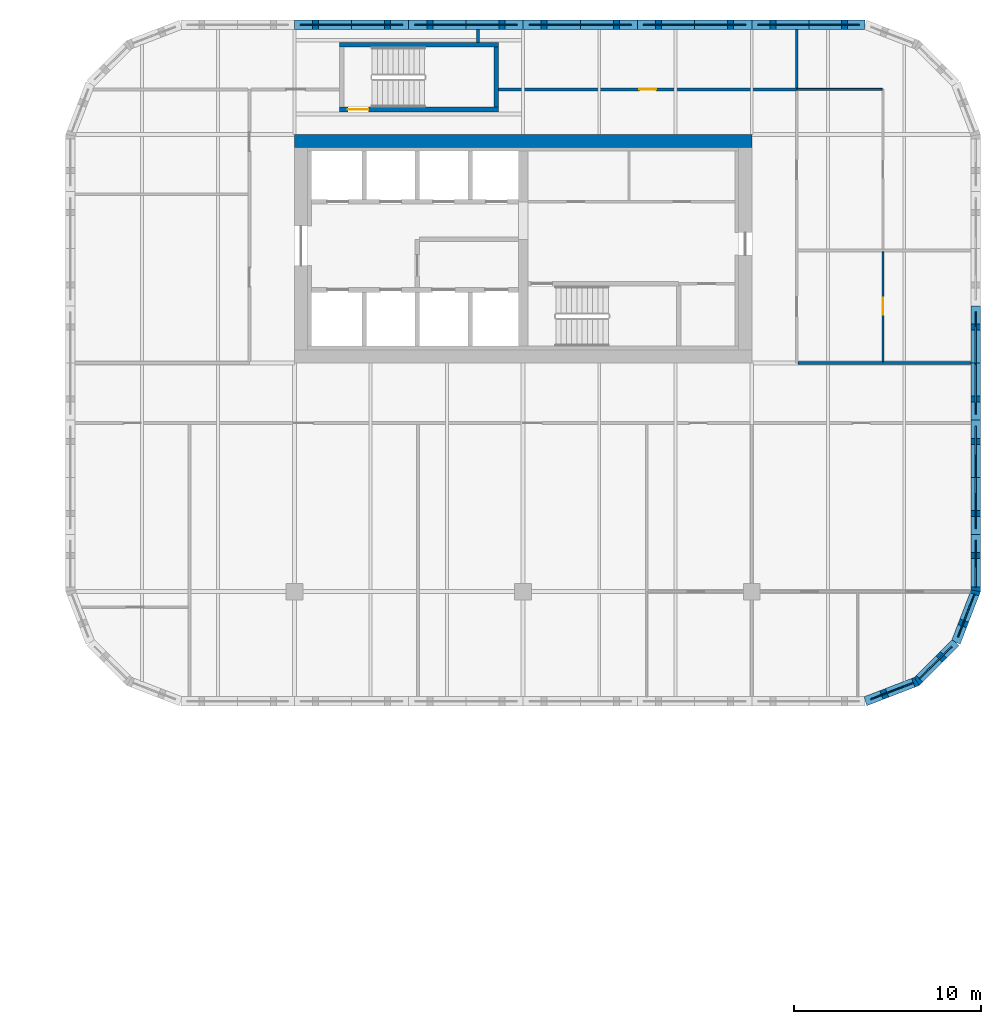
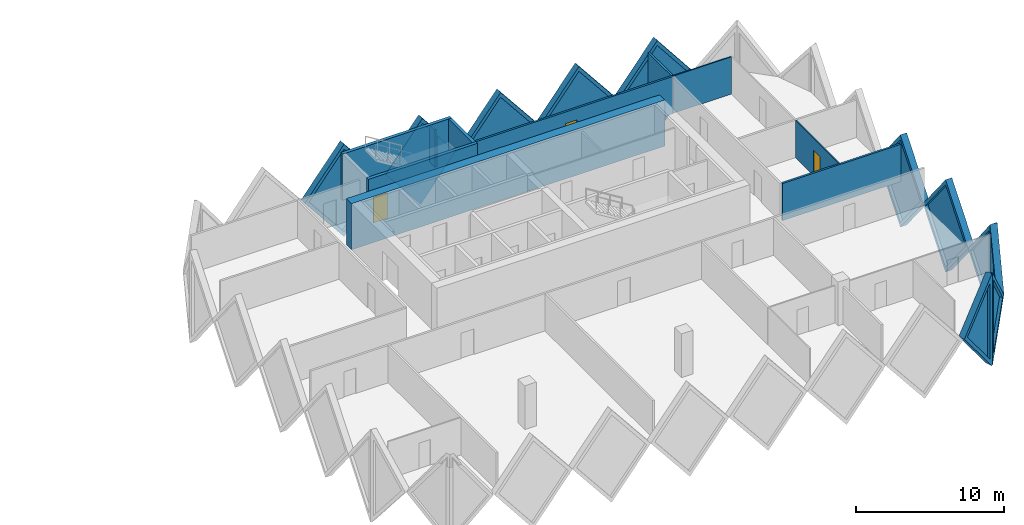
# One storey, part 14 of 18: 21 walls, 11 plates, 3 doors, 14 openings.
"""IFC4 building model written with IfcOpenShell, lengths in metres."""

from ifc_helpers import new_model, si_unit, direction, frame, frame_2d, origin, place, context, subcontext, project, spatial, polyline, rectangle, outline, extrude, faceted_brep, source, transform, mapped, material, layer, layer_set, type_object, element, fill, save


model = new_model("IFC4")

# Units and contexts
model_context = context("Model", 3, precision=1e-05, world=origin(), true_north=direction((0.0, 1.0)))
body_context = subcontext(model_context, "Body", "Model", "MODEL_VIEW")
ifc_project = project(units=[si_unit("LENGTHUNIT", "METRE"), si_unit("AREAUNIT", "SQUARE_METRE"), si_unit("VOLUMEUNIT", "CUBIC_METRE"), si_unit("PLANEANGLEUNIT", "RADIAN"), si_unit("MASSUNIT", "GRAM", prefix="KILO")], contexts=[model_context])

# Site, building, storey
site_placement = place(None, origin())
site = spatial("IfcSite", under=ifc_project, at=site_placement, CompositionType="ELEMENT")
building_placement = place(site_placement, origin())
building = spatial("IfcBuilding", under=site, at=building_placement, Name="Tessera Gate Towers", CompositionType="ELEMENT")
storey_placement = place(building_placement, frame((0.0, 0.0, 44.800048828125)))
storey = spatial("IfcBuildingStorey", under=building, at=storey_placement, Name="L10", CompositionType="ELEMENT", Elevation=44.800048828125)

# Wall, opening, door
ifc_material_1 = material(Name="Concrete C40/50", Category="concrete")
ifc_layer_1 = layer(ifc_material_1, 0.25)
ifc_layer_set_1 = layer_set([ifc_layer_1], Name="CORE ENCLOSURE WALL 250")
wall_type_1 = type_object("IfcWallType", Name="CORE ENCLOSURE WALL 250", PredefinedType="SOLIDWALL", material=ifc_layer_set_1)
wall_1_placement = place(storey_placement, frame((108.5, 50.125, 0.0), z_axis=(0.0, 0.0, 1.0), x_axis=(-1.0, 0.0, 0.0)))
wall_1 = element("IfcWall", 1, at=wall_1_placement, inside=storey, type_object=wall_type_1, Name="L10 ST7 enclosure wall", PredefinedType="SOLIDWALL", context=body_context, shape_type="SweptSolid", body=[
    extrude(rectangle(XDim=8.5, YDim=0.25, at=frame_2d((4.25, 0.0))), origin(), (0.0, 0.0, 1.0), 3.800048828125),
])
shared_shape_1 = source(origin(), body_context, "Body", "SweptSolid", [
    extrude(rectangle(XDim=1.10009765625, YDim=2.10009765625, at=frame_2d((0.550048828125, 1.050048828125))), frame((0.0, 0.135009765625, 0.0), z_axis=(0.0, -1.0, 0.0), x_axis=(1.0, 0.0, 0.0)), (0.0, 0.0, 1.0), 0.27001953125),
])
opening_1_placement = place(wall_1_placement, frame((6.949951171875, 0.0, 0.0)))
opening_1 = element("IfcOpeningElement", 2, at=opening_1_placement, cuts=wall_1, Name="Opening SD-ST7-1", PredefinedType="OPENING", context=body_context, shape_type="MappedRepresentation", body=[
    mapped(shared_shape_1, transform((0.0, 0.0, 0.0), scale=1.0)),
])
ifc_material_2 = material(Name="Hollow steel fire door", Category="steel")
door_type_1 = type_object("IfcDoorType", Name="CORE DOOR SD1100 1100x2100", OperationType="NOTDEFINED", PredefinedType="DOOR", material=ifc_material_2)
shared_shape_2 = source(origin(), body_context, "Body", "SweptSolid", [
    extrude(rectangle(XDim=1.10009765625, YDim=2.10009765625, at=frame_2d((0.550048828125, 1.050048828125))), frame((0.0, 0.02490234375, 0.0), z_axis=(0.0, -1.0, 0.0), x_axis=(1.0, 0.0, 0.0)), (0.0, 0.0, 1.0), 0.050048828125),
])
door_1_placement = place(opening_1_placement, origin())
door_1 = element("IfcDoor", 3, at=door_1_placement, inside=storey, type_object=door_type_1, Name="Stair door", OperationType="SINGLE_SWING_RIGHT", OverallHeight=2.10009765625, OverallWidth=1.10009765625, PredefinedType="DOOR", context=body_context, shape_type="MappedRepresentation", body=[
    mapped(shared_shape_2, transform((0.0, 0.0, 0.0), scale=1.0)),
])
fill(opening_1, door_1)

# Walls
wall_2_placement = place(storey_placement, frame((100.0, 53.574951171875, 0.0), z_axis=(0.0, 0.0, 1.0), x_axis=(1.0, 0.0, 0.0)))
element("IfcWall", 4, at=wall_2_placement, inside=storey, type_object=wall_type_1, Name="L10 ST7 enclosure wall", PredefinedType="SOLIDWALL", context=body_context, shape_type="SweptSolid", body=[
    extrude(rectangle(XDim=8.5, YDim=0.25, at=frame_2d((4.25, 0.0))), origin(), (0.0, 0.0, 1.0), 3.800048828125),
])
wall_3_placement = place(storey_placement, frame((108.375, 53.449951171875, 0.0), z_axis=(0.0, 0.0, 1.0), x_axis=(0.0, -1.0, 0.0)))
element("IfcWall", 5, at=wall_3_placement, inside=storey, type_object=wall_type_1, Name="L10 ST7 enclosure wall", PredefinedType="SOLIDWALL", context=body_context, shape_type="SweptSolid", body=[
    extrude(rectangle(XDim=3.199951171875, YDim=0.25, at=frame_2d((1.60009765625, 0.0))), origin(), (0.0, 0.0, 1.0), 3.800048828125),
])
ifc_material_3 = material(Name="Concrete C60/75", Category="concrete")
ifc_layer_2 = layer(ifc_material_3, 0.699951171875)
ifc_layer_set_2 = layer_set([ifc_layer_2], Name="CORE SHEAR WALL 700 C60/75")
wall_type_2 = type_object("IfcWallType", Name="CORE SHEAR WALL 700 C60/75", PredefinedType="SHEAR", material=ifc_layer_set_2)
wall_4_placement = place(storey_placement, frame((97.60009765625, 48.449951171875, 0.0), z_axis=(0.0, 0.0, 1.0), x_axis=(1.0, 0.0, 0.0)))
element("IfcWall", 6, at=wall_4_placement, inside=storey, type_object=wall_type_2, Name="Core wall N L10", PredefinedType="SHEAR", context=body_context, shape_type="SweptSolid", body=[
    extrude(rectangle(XDim=24.39990234375, YDim=0.699951171875, at=frame_2d((12.199951171875, 0.0))), origin(), (0.0, 0.0, 1.0), 3.800048828125),
])
ifc_material_4 = material(Name="Gypsum board on steel studs, mineral wool", Category="steel")
ifc_layer_3 = layer(ifc_material_4, 0.14990234375)
ifc_layer_set_3 = layer_set([ifc_layer_3], Name="CORRIDOR WALL 150")
wall_type_3 = type_object("IfcWallType", Name="CORRIDOR WALL 150", PredefinedType="PARTITIONING", material=ifc_layer_set_3)
wall_5_placement = place(storey_placement, frame((124.47607421875, 36.60009765625, 0.0), z_axis=(0.0, 0.0, 1.0), x_axis=(1.0, 0.0, 0.0)))
element("IfcWall", 7, at=wall_5_placement, inside=storey, type_object=wall_type_3, Name="T2-L10-PW-014", PredefinedType="PARTITIONING", context=body_context, shape_type="SweptSolid", body=[
    extrude(rectangle(XDim=9.223876953125, YDim=0.14990234375, at=frame_2d((4.61181640625, 0.0))), origin(), (0.0, 0.0, 1.0), 3.06689453125),
])

# Wall, opening, door
wall_6_placement = place(storey_placement, frame((108.5, 51.199951171875, 0.0), z_axis=(0.0, 0.0, 1.0), x_axis=(1.0, 0.0, 0.0)))
wall_6 = element("IfcWall", 8, at=wall_6_placement, inside=storey, type_object=wall_type_3, Name="T2-L10-PW-022", PredefinedType="PARTITIONING", context=body_context, shape_type="SweptSolid", body=[
    extrude(rectangle(XDim=15.89990234375, YDim=0.14990234375, at=frame_2d((7.949951171875, 0.0))), origin(), (0.0, 0.0, 1.0), 3.06689453125),
])
shared_shape_3 = source(origin(), body_context, "Body", "SweptSolid", [
    extrude(rectangle(XDim=0.89990234375, YDim=2.10009765625, at=frame_2d((0.449951171875, 1.050048828125))), frame((0.0, 0.0849609375, 0.0), z_axis=(0.0, -1.0, 0.0), x_axis=(1.0, 0.0, 0.0)), (0.0, 0.0, 1.0), 0.169921875),
])
opening_2_placement = place(wall_6_placement, frame((7.5, 0.0, 0.0)))
opening_2 = element("IfcOpeningElement", 9, at=opening_2_placement, cuts=wall_6, Name="Opening D890FD60-B04-04", PredefinedType="OPENING", context=body_context, shape_type="MappedRepresentation", body=[
    mapped(shared_shape_3, transform((0.0, 0.0, 0.0), scale=1.0)),
])
ifc_material_5 = material(Name="Timber door leaf in steel frame", Category="steel")
door_type_2 = type_object("IfcDoorType", Name="CORRIDOR DOOR 900 FD60", OperationType="NOTDEFINED", PredefinedType="DOOR", material=ifc_material_5)
shared_shape_4 = source(origin(), body_context, "Body", "SweptSolid", [
    extrude(rectangle(XDim=0.89990234375, YDim=2.10009765625, at=frame_2d((0.449951171875, 1.050048828125))), frame((0.0, 0.02490234375, 0.0), z_axis=(0.0, -1.0, 0.0), x_axis=(1.0, 0.0, 0.0)), (0.0, 0.0, 1.0), 0.050048828125),
])
door_2_placement = place(opening_2_placement, origin())
door_2 = element("IfcDoor", 10, at=door_2_placement, inside=storey, type_object=door_type_2, Name="T2-L10-PD-016", OperationType="SINGLE_SWING_LEFT", OverallHeight=2.10009765625, OverallWidth=0.89990234375, PredefinedType="DOOR", context=body_context, shape_type="MappedRepresentation", body=[
    mapped(shared_shape_4, transform((0.0, 0.0, 0.0), scale=1.0)),
])
fill(opening_2, door_2)

ifc_material_6 = material(Name="Glass", Category="glass")
ifc_layer_4 = layer(ifc_material_6, 0.10009765625)
ifc_layer_set_4 = layer_set([ifc_layer_4], Name="GLAZED PARTITION 100")
wall_type_4 = type_object("IfcWallType", Name="GLAZED PARTITION 100", PredefinedType="PARTITIONING", material=ifc_layer_set_4)
wall_7_placement = place(storey_placement, frame((129.0, 42.52392578125, 0.0), z_axis=(0.0, 0.0, 1.0), x_axis=(0.0, -1.0, 0.0)))
wall_7 = element("IfcWall", 11, at=wall_7_placement, inside=storey, type_object=wall_type_4, Name="T2-L10-PW-016", PredefinedType="PARTITIONING", context=body_context, shape_type="SweptSolid", body=[
    extrude(rectangle(XDim=5.847900390625, YDim=0.10009765625, at=frame_2d((2.923828125, 0.0))), origin(), (0.0, 0.0, 1.0), 3.06689453125),
])
shared_shape_5 = source(origin(), body_context, "Body", "SweptSolid", [
    extrude(rectangle(XDim=0.89990234375, YDim=2.10009765625, at=frame_2d((0.449951171875, 1.050048828125))), frame((0.0, 0.06005859375, 0.0), z_axis=(0.0, -1.0, 0.0), x_axis=(1.0, 0.0, 0.0)), (0.0, 0.0, 1.0), 0.1201171875),
])
opening_3_placement = place(wall_7_placement, frame((2.447998046875, 0.0, 0.0)))
opening_3 = element("IfcOpeningElement", 12, at=opening_3_placement, cuts=wall_7, Name="Opening D690-B04-02", PredefinedType="OPENING", context=body_context, shape_type="MappedRepresentation", body=[
    mapped(shared_shape_5, transform((0.0, 0.0, 0.0), scale=1.0)),
])
ifc_material_7 = material(Name="Glass in aluminium frame", Category="aluminium")
door_type_3 = type_object("IfcDoorType", Name="GLAZED DOOR 900 NOT RATED", OperationType="NOTDEFINED", PredefinedType="DOOR", material=ifc_material_7)
door_3_placement = place(opening_3_placement, origin())
door_3 = element("IfcDoor", 13, at=door_3_placement, inside=storey, type_object=door_type_3, Name="T2-L10-PD-007", OperationType="SINGLE_SWING_RIGHT", OverallHeight=2.10009765625, OverallWidth=0.89990234375, PredefinedType="DOOR", context=body_context, shape_type="MappedRepresentation", body=[
    mapped(shared_shape_4, transform((0.0, 0.0, 0.0), scale=1.0)),
])
fill(opening_3, door_3)

# Walls
wall_8_placement = place(storey_placement, frame((124.40087890625, 51.199951171875, 0.0), z_axis=(0.0, 0.0, 1.0), x_axis=(1.0, 0.0, 0.0)))
element("IfcWall", 14, at=wall_8_placement, inside=storey, type_object=wall_type_4, Name="T2-L10-PW-023", PredefinedType="PARTITIONING", context=body_context, shape_type="SweptSolid", body=[
    extrude(rectangle(XDim=4.548095703125, YDim=0.10009765625, at=frame_2d((2.27392578125, 0.0))), origin(), (0.0, 0.0, 1.0), 3.06689453125),
])
ifc_material_8 = material(Name="Gypsum board on steel studs, mineral wool", Category="steel")
ifc_layer_5 = layer(ifc_material_8, 0.14990234375)
ifc_layer_set_5 = layer_set([ifc_layer_5], Name="TENANCY WALL 150")
wall_type_5 = type_object("IfcWallType", Name="TENANCY WALL 150", PredefinedType="PARTITIONING", material=ifc_layer_set_5)
wall_9_placement = place(storey_placement, frame((124.39990234375, 51.27587890625, 0.0), z_axis=(0.0, 0.0, 1.0), x_axis=(0.0, 1.0, 0.0)))
element("IfcWall", 15, at=wall_9_placement, inside=storey, type_object=wall_type_5, Name="T2-L10-PW-024", PredefinedType="PARTITIONING", context=body_context, shape_type="SweptSolid", body=[
    extrude(rectangle(XDim=3.1240234375, YDim=0.14990234375, at=frame_2d((1.56201171875, 0.0))), origin(), (0.0, 0.0, 1.0), 3.06689453125),
])
wall_10_placement = place(storey_placement, frame((107.39990234375, 53.699951171875, 0.0), z_axis=(0.0, 0.0, 1.0), x_axis=(0.0, 1.0, 0.0)))
element("IfcWall", 16, at=wall_10_placement, inside=storey, type_object=wall_type_5, Name="T2-L10-PW-025", PredefinedType="PARTITIONING", context=body_context, shape_type="SweptSolid", body=[
    extrude(rectangle(XDim=0.699951171875, YDim=0.14990234375, at=frame_2d((0.35009765625, 0.0))), origin(), (0.0, 0.0, 1.0), 3.06689453125),
])

# Wall, opening, plate
ifc_material_9 = material(Name="Precast concrete C60/75 white", Category="concrete")
ifc_layer_6 = layer(ifc_material_9, 0.5)
ifc_layer_set_6 = layer_set([ifc_layer_6], Name="TS1 tessera")
wall_type_6 = type_object("IfcWallType", Name="TS1 tessera", PredefinedType="SOLIDWALL", material=ifc_layer_set_6)
shared_shape_6 = source(origin(), body_context, "Body", "Brep", [
    faceted_brep([(3.00341796875, -0.25, 0.0), (6.053466796875, -0.25, 3.800048828125), (3.00341796875, -0.25, 7.60009765625), (0.0, -0.25, 3.800048828125), (0.046630859375, 0.25, 3.85888671875), (3.00341796875, 0.25, 7.60009765625), (6.053466796875, 0.25, 3.800048828125), (3.00341796875, 0.25, 0.0), (0.046630859375, 0.25, 3.7412109375), (0.0, 0.0, 3.800048828125)], [[[0, 1, 2, 3]], [[4, 5, 6, 7, 8]], [[7, 6, 1, 0]], [[6, 5, 2, 1]], [[5, 4, 9, 3, 2]], [[8, 7, 0, 3, 9]], [[8, 9, 4]]]),
])
wall_11_placement = place(storey_placement, frame((128.053466796875, 54.64990234375, -3.800048828125), z_axis=(0.0, 0.0, 1.0), x_axis=(-1.0, 0.0, 0.0)))
wall_11 = element("IfcWall", 17, at=wall_11_placement, inside=storey, type_object=wall_type_6, Name="Precast tessera T2 TS1-0099", PredefinedType="SOLIDWALL", context=body_context, shape_type="MappedRepresentation", body=[
    mapped(shared_shape_6, transform((0.0, 0.0, 0.0), scale=1.0)),
])
shared_shape_7 = source(origin(), body_context, "Body", "SweptSolid", [
    extrude(outline(polyline([(3.0048828125, 0.4013671875), (5.73291015625, 3.800048828125), (3.0048828125, 7.19873046875), (0.318603515625, 3.800048828125), (3.0048828125, 0.4013671875)])), frame((0.0, 0.260009765625, 0.0), z_axis=(0.0, -1.0, 0.0), x_axis=(1.0, 0.0, 0.0)), (0.0, 0.0, 1.0), 0.52001953125),
])
opening_4_placement = place(wall_11_placement, origin())
opening_4 = element("IfcOpeningElement", 18, at=opening_4_placement, cuts=wall_11, Name="Opening T2-PL2-0187", PredefinedType="OPENING", context=body_context, shape_type="MappedRepresentation", body=[
    mapped(shared_shape_7, transform((0.0, 0.0, 0.0), scale=1.0)),
])
ifc_material_10 = material(Name="Low-e laminated glass", Category="glass")
ifc_layer_7 = layer(ifc_material_10, 0.06005859375)
ifc_layer_set_7 = layer_set([ifc_layer_7], Name="PL2 rhombic pane")
plate_type = type_object("IfcPlateType", Name="PL2 rhombic pane", PredefinedType="SHEET", material=ifc_layer_set_7)
shared_shape_8 = source(origin(), body_context, "Body", "SweptSolid", [
    extrude(outline(polyline([(3.0048828125, 0.4013671875), (5.73291015625, 3.800048828125), (3.0048828125, 7.19873046875), (0.318603515625, 3.800048828125), (3.0048828125, 0.4013671875)])), frame((0.0, 0.030029296875, 0.0), z_axis=(0.0, -1.0, 0.0), x_axis=(1.0, 0.0, 0.0)), (0.0, 0.0, 1.0), 0.06005859375),
])
plate_1_placement = place(opening_4_placement, origin())
plate_1 = element("IfcPlate", 19, at=plate_1_placement, inside=storey, type_object=plate_type, Name="Glass pane T2 PL2-0187", PredefinedType="SHEET", context=body_context, shape_type="MappedRepresentation", body=[
    mapped(shared_shape_8, transform((0.0, 0.0, 0.0), scale=1.0)),
])
fill(opening_4, plate_1)

shared_shape_9 = source(origin(), body_context, "Body", "Brep", [
    faceted_brep([(3.050048828125, -0.25, 0.0), (6.099853515625, -0.25, 3.7998046875), (6.099853515625, -0.25, 3.80029296875), (3.050048828125, -0.25, 7.60009765625), (0.0, -0.25, 3.800048828125), (0.0, 0.25, 3.800048828125), (3.050048828125, 0.25, 7.60009765625), (6.099853515625, 0.25, 3.80029296875), (6.099853515625, 0.25, 3.7998046875), (3.050048828125, 0.25, 0.0)], [[[0, 1, 2, 3, 4]], [[5, 6, 7, 8, 9]], [[9, 8, 1, 0]], [[7, 6, 3, 2]], [[6, 5, 4, 3]], [[5, 9, 0, 4]], [[1, 8, 7, 2]]]),
])
wall_12_placement = place(storey_placement, frame((133.949951171875, 33.550048828125, -3.800048828125), z_axis=(0.0, 0.0, 1.0), x_axis=(0.0, 1.0, 0.0)))
wall_12 = element("IfcWall", 20, at=wall_12_placement, inside=storey, type_object=wall_type_6, Name="Precast tessera T2 TS1-0097", PredefinedType="SOLIDWALL", context=body_context, shape_type="MappedRepresentation", body=[
    mapped(shared_shape_9, transform((0.0, 0.0, 0.0), scale=1.0)),
])
shared_shape_10 = source(origin(), body_context, "Body", "SweptSolid", [
    extrude(outline(polyline([(3.050048828125, 0.3994140625), (5.779541015625, 3.800048828125), (3.050048828125, 7.20068359375), (0.320556640625, 3.800048828125), (3.050048828125, 0.3994140625)])), frame((0.0, 0.260009765625, 0.0), z_axis=(0.0, -1.0, 0.0), x_axis=(1.0, 0.0, 0.0)), (0.0, 0.0, 1.0), 0.52001953125),
])
opening_5_placement = place(wall_12_placement, origin())
opening_5 = element("IfcOpeningElement", 21, at=opening_5_placement, cuts=wall_12, Name="Opening T2-PL2-0181", PredefinedType="OPENING", context=body_context, shape_type="MappedRepresentation", body=[
    mapped(shared_shape_10, transform((0.0, 0.0, 0.0), scale=1.0)),
])
shared_shape_11 = source(origin(), body_context, "Body", "SweptSolid", [
    extrude(outline(polyline([(3.050048828125, 0.3994140625), (5.779541015625, 3.800048828125), (3.050048828125, 7.20068359375), (0.320556640625, 3.800048828125), (3.050048828125, 0.3994140625)])), frame((0.0, 0.030029296875, 0.0), z_axis=(0.0, -1.0, 0.0), x_axis=(1.0, 0.0, 0.0)), (0.0, 0.0, 1.0), 0.06005859375),
])
plate_2_placement = place(opening_5_placement, origin())
plate_2 = element("IfcPlate", 22, at=plate_2_placement, inside=storey, type_object=plate_type, Name="Glass pane T2 PL2-0181", PredefinedType="SHEET", context=body_context, shape_type="MappedRepresentation", body=[
    mapped(shared_shape_11, transform((0.0, 0.0, 0.0), scale=1.0)),
])
fill(opening_5, plate_2)

wall_13_placement = place(storey_placement, frame((115.89990234375, 54.64990234375, -3.800048828125), z_axis=(0.0, 0.0, 1.0), x_axis=(-1.0, 0.0, 0.0)))
wall_13 = element("IfcWall", 23, at=wall_13_placement, inside=storey, type_object=wall_type_6, Name="Precast tessera T2 TS1-0101", PredefinedType="SOLIDWALL", context=body_context, shape_type="MappedRepresentation", body=[
    mapped(shared_shape_9, transform((0.0, 0.0, 0.0), scale=1.0)),
])
opening_6_placement = place(wall_13_placement, origin())
opening_6 = element("IfcOpeningElement", 24, at=opening_6_placement, cuts=wall_13, Name="Opening T2-PL2-0189", PredefinedType="OPENING", context=body_context, shape_type="MappedRepresentation", body=[
    mapped(shared_shape_10, transform((0.0, 0.0, 0.0), scale=1.0)),
])
plate_3_placement = place(opening_6_placement, origin())
plate_3 = element("IfcPlate", 25, at=plate_3_placement, inside=storey, type_object=plate_type, Name="Glass pane T2 PL2-0189", PredefinedType="SHEET", context=body_context, shape_type="MappedRepresentation", body=[
    mapped(shared_shape_11, transform((0.0, 0.0, 0.0), scale=1.0)),
])
fill(opening_6, plate_3)

wall_14_placement = place(storey_placement, frame((103.699951171875, 54.64990234375, -3.800048828125), z_axis=(0.0, 0.0, 1.0), x_axis=(-1.0, 0.0, 0.0)))
wall_14 = element("IfcWall", 26, at=wall_14_placement, inside=storey, type_object=wall_type_6, Name="Precast tessera T2 TS1-0103", PredefinedType="SOLIDWALL", context=body_context, shape_type="MappedRepresentation", body=[
    mapped(shared_shape_9, transform((0.0, 0.0, 0.0), scale=1.0)),
])
opening_7_placement = place(wall_14_placement, origin())
opening_7 = element("IfcOpeningElement", 27, at=opening_7_placement, cuts=wall_14, Name="Opening T2-PL2-0191", PredefinedType="OPENING", context=body_context, shape_type="MappedRepresentation", body=[
    mapped(shared_shape_10, transform((0.0, 0.0, 0.0), scale=1.0)),
])
plate_4_placement = place(opening_7_placement, origin())
plate_4 = element("IfcPlate", 28, at=plate_4_placement, inside=storey, type_object=plate_type, Name="Glass pane T2 PL2-0191", PredefinedType="SHEET", context=body_context, shape_type="MappedRepresentation", body=[
    mapped(shared_shape_11, transform((0.0, 0.0, 0.0), scale=1.0)),
])
fill(opening_7, plate_4)

shared_shape_12 = source(origin(), body_context, "Body", "SweptSolid", [
    extrude(outline(polyline([(3.050048828125, 0.0), (6.10009765625, 3.800048828125), (3.050048828125, 7.60009765625), (0.0, 3.800048828125), (3.050048828125, 0.0)])), frame((0.0, 0.25, 0.0), z_axis=(0.0, -1.0, 0.0), x_axis=(1.0, 0.0, 0.0)), (0.0, 0.0, 1.0), 0.5),
])
wall_15_placement = place(storey_placement, frame((133.949951171875, 27.449951171875, -3.800048828125), z_axis=(0.0, 0.0, 1.0), x_axis=(0.0, 1.0, 0.0)))
wall_15 = element("IfcWall", 29, at=wall_15_placement, inside=storey, type_object=wall_type_6, Name="Precast tessera T2 TS1-0096", PredefinedType="SOLIDWALL", context=body_context, shape_type="MappedRepresentation", body=[
    mapped(shared_shape_12, transform((0.0, 0.0, 0.0), scale=1.0)),
])
opening_8_placement = place(wall_15_placement, origin())
opening_8 = element("IfcOpeningElement", 30, at=opening_8_placement, cuts=wall_15, Name="Opening T2-PL2-0180", PredefinedType="OPENING", context=body_context, shape_type="MappedRepresentation", body=[
    mapped(shared_shape_10, transform((0.0, 0.0, 0.0), scale=1.0)),
])
plate_5_placement = place(opening_8_placement, origin())
plate_5 = element("IfcPlate", 31, at=plate_5_placement, inside=storey, type_object=plate_type, Name="Glass pane T2 PL2-0180", PredefinedType="SHEET", context=body_context, shape_type="MappedRepresentation", body=[
    mapped(shared_shape_11, transform((0.0, 0.0, 0.0), scale=1.0)),
])
fill(opening_8, plate_5)

wall_16_placement = place(storey_placement, frame((122.0, 54.64990234375, -3.800048828125), z_axis=(0.0, 0.0, 1.0), x_axis=(-1.0, 0.0, 0.0)))
wall_16 = element("IfcWall", 32, at=wall_16_placement, inside=storey, type_object=wall_type_6, Name="Precast tessera T2 TS1-0100", PredefinedType="SOLIDWALL", context=body_context, shape_type="MappedRepresentation", body=[
    mapped(shared_shape_12, transform((0.0, 0.0, 0.0), scale=1.0)),
])
opening_9_placement = place(wall_16_placement, origin())
opening_9 = element("IfcOpeningElement", 33, at=opening_9_placement, cuts=wall_16, Name="Opening T2-PL2-0188", PredefinedType="OPENING", context=body_context, shape_type="MappedRepresentation", body=[
    mapped(shared_shape_10, transform((0.0, 0.0, 0.0), scale=1.0)),
])
plate_6_placement = place(opening_9_placement, origin())
plate_6 = element("IfcPlate", 34, at=plate_6_placement, inside=storey, type_object=plate_type, Name="Glass pane T2 PL2-0188", PredefinedType="SHEET", context=body_context, shape_type="MappedRepresentation", body=[
    mapped(shared_shape_11, transform((0.0, 0.0, 0.0), scale=1.0)),
])
fill(opening_9, plate_6)

wall_17_placement = place(storey_placement, frame((109.800048828125, 54.64990234375, -3.800048828125), z_axis=(0.0, 0.0, 1.0), x_axis=(-1.0, 0.0, 0.0)))
wall_17 = element("IfcWall", 35, at=wall_17_placement, inside=storey, type_object=wall_type_6, Name="Precast tessera T2 TS1-0102", PredefinedType="SOLIDWALL", context=body_context, shape_type="MappedRepresentation", body=[
    mapped(shared_shape_12, transform((0.0, 0.0, 0.0), scale=1.0)),
])
opening_10_placement = place(wall_17_placement, origin())
opening_10 = element("IfcOpeningElement", 36, at=opening_10_placement, cuts=wall_17, Name="Opening T2-PL2-0190", PredefinedType="OPENING", context=body_context, shape_type="MappedRepresentation", body=[
    mapped(shared_shape_10, transform((0.0, 0.0, 0.0), scale=1.0)),
])
plate_7_placement = place(opening_10_placement, origin())
plate_7 = element("IfcPlate", 37, at=plate_7_placement, inside=storey, type_object=plate_type, Name="Glass pane T2 PL2-0190", PredefinedType="SHEET", context=body_context, shape_type="MappedRepresentation", body=[
    mapped(shared_shape_11, transform((0.0, 0.0, 0.0), scale=1.0)),
])
fill(opening_10, plate_7)

ifc_material_11 = material(Name="Precast concrete C60/75 white", Category="concrete")
ifc_layer_8 = layer(ifc_material_11, 0.5)
ifc_layer_set_8 = layer_set([ifc_layer_8], Name="TS3 corner tessera")
wall_type_7 = type_object("IfcWallType", Name="TS3 corner tessera", PredefinedType="SOLIDWALL", material=ifc_layer_set_8)
shared_shape_13 = source(origin(), body_context, "Body", "Brep", [
    faceted_brep([(2.950439453125, -0.25, 0.0), (3.00341796875, -0.25, 0.068359375), (3.00341796875, -0.25, 7.53173828125), (2.950439453125, -0.25, 7.60009765625), (0.0, -0.25, 3.800048828125), (0.046630859375, 0.25, 3.860107421875), (2.897705078125, 0.25, 7.531982421875), (2.897705078125, 0.25, 0.068115234375), (0.046630859375, 0.25, 3.739990234375), (2.950439453125, 0.00048828125, 0.0), (2.950439453125, 0.00048828125, 7.60009765625), (0.0, 0.0, 3.800048828125)], [[[0, 1, 2, 3, 4]], [[5, 6, 7, 8]], [[1, 0, 9]], [[10, 3, 2]], [[6, 5, 11, 4, 3, 10]], [[8, 7, 9, 0, 4, 11]], [[8, 11, 5]], [[1, 9, 7, 6, 10, 2]]]),
])
wall_18_placement = place(storey_placement, frame((128.053466796875, 18.550048828125, -3.800048828125), z_axis=(0.0, 0.0, 1.0), x_axis=(0.933007896601, 0.359855894603, 0.0)))
wall_18 = element("IfcWall", 38, at=wall_18_placement, inside=storey, type_object=wall_type_7, Name="Precast corner tessera T2 TS3-0129", PredefinedType="SOLIDWALL", context=body_context, shape_type="MappedRepresentation", body=[
    mapped(shared_shape_13, transform((0.0, 0.0, 0.0), scale=1.0)),
])
shared_shape_14 = source(origin(), body_context, "Body", "SweptSolid", [
    extrude(outline(polyline([(2.75048828125, 6.934814453125), (0.31640625, 3.800048828125), (2.75048828125, 0.665283203125), (2.75048828125, 6.934814453125)])), frame((0.0, 0.260009765625, 0.0), z_axis=(0.0, -1.0, 0.0), x_axis=(1.0, 0.0, 0.0)), (0.0, 0.0, 1.0), 0.52001953125),
])
opening_11_placement = place(wall_18_placement, origin())
opening_11 = element("IfcOpeningElement", 39, at=opening_11_placement, cuts=wall_18, Name="Opening T2-PL2-0176", PredefinedType="OPENING", context=body_context, shape_type="MappedRepresentation", body=[
    mapped(shared_shape_14, transform((0.0, 0.0, 0.0), scale=1.0)),
])
shared_shape_15 = source(origin(), body_context, "Body", "SweptSolid", [
    extrude(outline(polyline([(2.75048828125, 6.934814453125), (0.31640625, 3.800048828125), (2.75048828125, 0.665283203125), (2.75048828125, 6.934814453125)])), frame((0.0, 0.030029296875, 0.0), z_axis=(0.0, -1.0, 0.0), x_axis=(1.0, 0.0, 0.0)), (0.0, 0.0, 1.0), 0.06005859375),
])
plate_8_placement = place(opening_11_placement, origin())
plate_8 = element("IfcPlate", 40, at=plate_8_placement, inside=storey, type_object=plate_type, Name="Glass pane T2 PL2-0176", PredefinedType="SHEET", context=body_context, shape_type="MappedRepresentation", body=[
    mapped(shared_shape_15, transform((0.0, 0.0, 0.0), scale=1.0)),
])
fill(opening_11, plate_8)

shared_shape_16 = source(origin(), body_context, "Body", "Brep", [
    faceted_brep([(2.950439453125, -0.25, 0.0), (2.9970703125, -0.25, 0.05908203125), (2.9970703125, -0.25, 7.541015625), (2.950439453125, -0.25, 7.60009765625), (0.0, -0.25, 3.800048828125), (0.052978515625, 0.25, 3.8681640625), (2.904052734375, 0.25, 7.540283203125), (2.904052734375, 0.25, 0.059814453125), (0.052978515625, 0.25, 3.73193359375), (2.950439453125, 0.00048828125, 0.0), (2.950439453125, 0.00048828125, 7.60009765625), (0.0, 0.0, 3.800048828125)], [[[0, 1, 2, 3, 4]], [[5, 6, 7, 8]], [[1, 0, 9]], [[10, 3, 2]], [[6, 5, 11, 4, 3, 10]], [[8, 7, 9, 0, 4, 11]], [[8, 11, 5]], [[1, 9, 7, 6, 10, 2]]]),
])
wall_19_placement = place(storey_placement, frame((132.88818359375, 21.69384765625, -3.800048828125), z_axis=(0.0, 0.0, 1.0), x_axis=(0.359901446078, 0.932990326376, 0.0)))
wall_19 = element("IfcWall", 41, at=wall_19_placement, inside=storey, type_object=wall_type_7, Name="Precast corner tessera T2 TS3-0131", PredefinedType="SOLIDWALL", context=body_context, shape_type="MappedRepresentation", body=[
    mapped(shared_shape_16, transform((0.0, 0.0, 0.0), scale=1.0)),
])
opening_12_placement = place(wall_19_placement, origin())
opening_12 = element("IfcOpeningElement", 42, at=opening_12_placement, cuts=wall_19, Name="Opening T2-PL2-0178", PredefinedType="OPENING", context=body_context, shape_type="MappedRepresentation", body=[
    mapped(shared_shape_14, transform((0.0, 0.0, 0.0), scale=1.0)),
])
plate_9_placement = place(opening_12_placement, origin())
plate_9 = element("IfcPlate", 43, at=plate_9_placement, inside=storey, type_object=plate_type, Name="Glass pane T2 PL2-0178", PredefinedType="SHEET", context=body_context, shape_type="MappedRepresentation", body=[
    mapped(shared_shape_15, transform((0.0, 0.0, 0.0), scale=1.0)),
])
fill(opening_12, plate_9)

shared_shape_17 = source(origin(), body_context, "Body", "Brep", [
    faceted_brep([(0.046630859375, -0.25, 0.0), (3.050048828125, -0.25, 3.800048828125), (0.046630859375, -0.25, 7.60009765625), (0.0, -0.25, 7.5400390625), (0.0, -0.25, 0.06005859375), (0.09326171875, 0.25, 7.541259765625), (3.050048828125, 0.25, 3.800048828125), (0.09326171875, 0.25, 0.058837890625), (0.046630859375, 0.0, 0.0), (0.046630859375, 0.0, 7.60009765625)], [[[0, 1, 2, 3, 4]], [[5, 6, 7]], [[7, 6, 1, 0, 8]], [[6, 5, 9, 2, 1]], [[3, 2, 9]], [[8, 0, 4]], [[7, 8, 4, 3, 9, 5]]]),
])
wall_20_placement = place(storey_placement, frame((133.949951171875, 24.39990234375, -3.800048828125), z_axis=(0.0, 0.0, 1.0), x_axis=(0.0, 1.0, 0.0)))
wall_20 = element("IfcWall", 44, at=wall_20_placement, inside=storey, type_object=wall_type_7, Name="Precast corner tessera T2 TS3-0132", PredefinedType="SOLIDWALL", context=body_context, shape_type="MappedRepresentation", body=[
    mapped(shared_shape_17, transform((0.0, 0.0, 0.0), scale=1.0)),
])
shared_shape_18 = source(origin(), body_context, "Body", "SweptSolid", [
    extrude(outline(polyline([(0.24658203125, 0.65625), (2.7314453125, 3.800048828125), (0.24658203125, 6.94384765625), (0.24658203125, 0.65625)])), frame((0.0, 0.260009765625, 0.0), z_axis=(0.0, -1.0, 0.0), x_axis=(1.0, 0.0, 0.0)), (0.0, 0.0, 1.0), 0.52001953125),
])
opening_13_placement = place(wall_20_placement, origin())
opening_13 = element("IfcOpeningElement", 45, at=opening_13_placement, cuts=wall_20, Name="Opening T2-PL2-0179", PredefinedType="OPENING", context=body_context, shape_type="MappedRepresentation", body=[
    mapped(shared_shape_18, transform((0.0, 0.0, 0.0), scale=1.0)),
])
shared_shape_19 = source(origin(), body_context, "Body", "SweptSolid", [
    extrude(outline(polyline([(0.24658203125, 0.65625), (2.7314453125, 3.800048828125), (0.24658203125, 6.94384765625), (0.24658203125, 0.65625)])), frame((0.0, 0.030029296875, 0.0), z_axis=(0.0, -1.0, 0.0), x_axis=(1.0, 0.0, 0.0)), (0.0, 0.0, 1.0), 0.06005859375),
])
plate_10_placement = place(opening_13_placement, origin())
plate_10 = element("IfcPlate", 46, at=plate_10_placement, inside=storey, type_object=plate_type, Name="Glass pane T2 PL2-0179", PredefinedType="SHEET", context=body_context, shape_type="MappedRepresentation", body=[
    mapped(shared_shape_19, transform((0.0, 0.0, 0.0), scale=1.0)),
])
fill(opening_13, plate_10)

shared_shape_20 = source(origin(), body_context, "Body", "Brep", [
    faceted_brep([(0.052978515625, -0.25, 0.0), (2.9970703125, -0.25, 3.800048828125), (0.052978515625, -0.25, 7.60009765625), (0.0, -0.25, 7.531982421875), (0.0, -0.25, 0.068115234375), (0.10595703125, 0.25, 7.53173828125), (2.944091796875, 0.25, 3.8681640625), (2.944091796875, 0.25, 3.73193359375), (0.10595703125, 0.25, 0.068359375), (2.9970703125, 0.000244140625, 3.800048828125), (0.052978515625, 0.0, 0.0), (0.052978515625, 0.0, 7.60009765625)], [[[0, 1, 2, 3, 4]], [[5, 6, 7, 8]], [[8, 7, 9, 1, 0, 10]], [[6, 5, 11, 2, 1, 9]], [[3, 2, 11]], [[10, 0, 4]], [[8, 10, 4, 3, 11, 5]], [[9, 7, 6]]]),
])
wall_21_placement = place(storey_placement, frame((130.768798828125, 19.574462890625, -3.800048828125), z_axis=(0.0, 0.0, 1.0), x_axis=(0.707106781187, 0.707106781187, 0.0)))
wall_21 = element("IfcWall", 47, at=wall_21_placement, inside=storey, type_object=wall_type_7, Name="Precast corner tessera T2 TS3-0130", PredefinedType="SOLIDWALL", context=body_context, shape_type="MappedRepresentation", body=[
    mapped(shared_shape_20, transform((0.0, 0.0, 0.0), scale=1.0)),
])
shared_shape_21 = source(origin(), body_context, "Body", "SweptSolid", [
    extrude(outline(polyline([(0.2529296875, 0.666259765625), (2.680908203125, 3.800048828125), (0.2529296875, 6.93359375), (0.2529296875, 0.666259765625)])), frame((0.0, 0.260009765625, 0.0), z_axis=(0.0, -1.0, 0.0), x_axis=(1.0, 0.0, 0.0)), (0.0, 0.0, 1.0), 0.52001953125),
])
opening_14_placement = place(wall_21_placement, origin())
opening_14 = element("IfcOpeningElement", 48, at=opening_14_placement, cuts=wall_21, Name="Opening T2-PL2-0177", PredefinedType="OPENING", context=body_context, shape_type="MappedRepresentation", body=[
    mapped(shared_shape_21, transform((0.0, 0.0, 0.0), scale=1.0)),
])
shared_shape_22 = source(origin(), body_context, "Body", "SweptSolid", [
    extrude(outline(polyline([(0.2529296875, 0.666259765625), (2.680908203125, 3.800048828125), (0.2529296875, 6.93359375), (0.2529296875, 0.666259765625)])), frame((0.0, 0.030029296875, 0.0), z_axis=(0.0, -1.0, 0.0), x_axis=(1.0, 0.0, 0.0)), (0.0, 0.0, 1.0), 0.06005859375),
])
plate_11_placement = place(opening_14_placement, origin())
plate_11 = element("IfcPlate", 49, at=plate_11_placement, inside=storey, type_object=plate_type, Name="Glass pane T2 PL2-0177", PredefinedType="SHEET", context=body_context, shape_type="MappedRepresentation", body=[
    mapped(shared_shape_22, transform((0.0, 0.0, 0.0), scale=1.0)),
])
fill(opening_14, plate_11)

save(model, "model.ifc")
